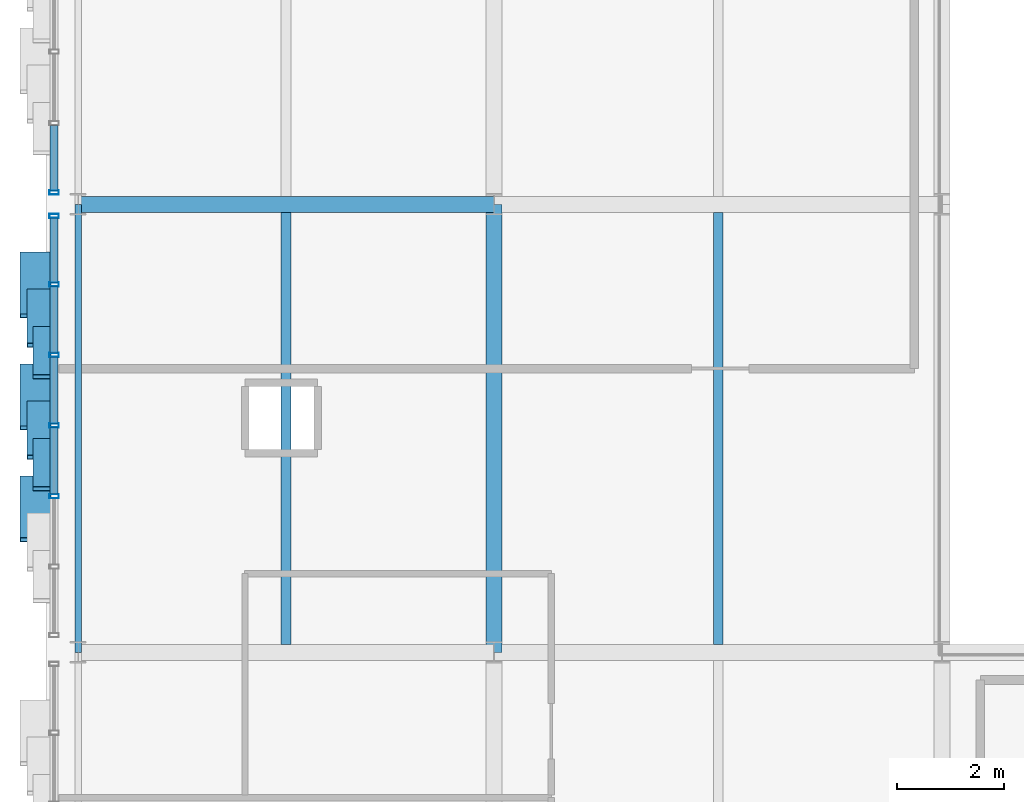
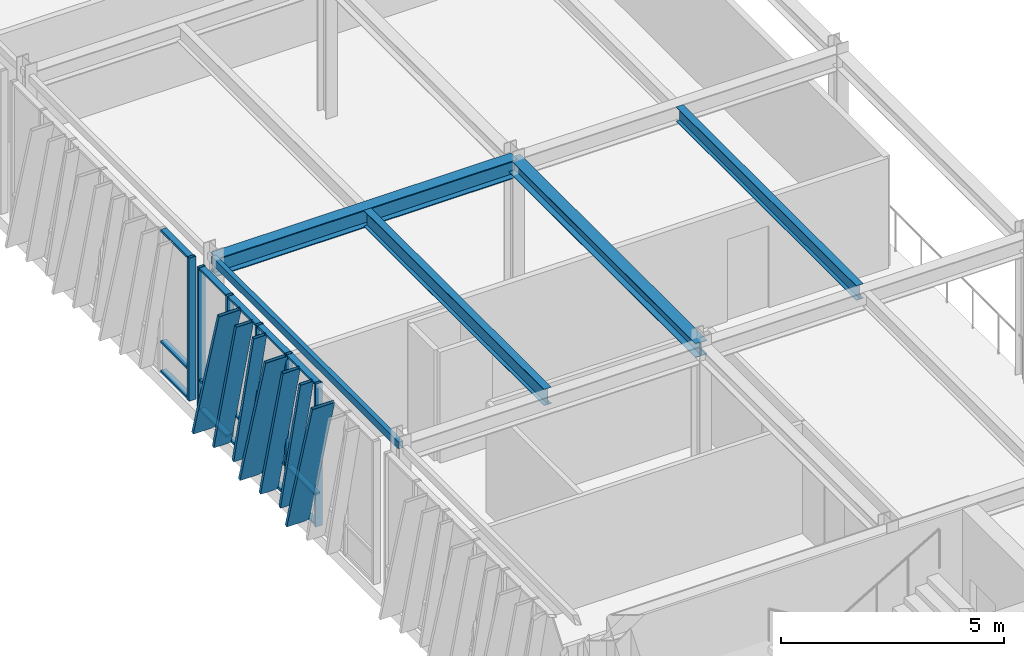
# One storey, part 38 of 127: 28 members, 5 beams, 2 elements without a shape of their own.
"""IFC4 building model written with IfcOpenShell, lengths in metres."""

from ifc_helpers import new_model, si_unit, direction, frame, origin, origin_2d, place, context, subcontext, project, spatial, hollow_rectangle, i_section, extrude, material, layer, layer_set, material_profile, profile_set, type_object, element, aggregate, save


model = new_model("IFC4")

# Units and contexts
model_context = context("Model", 3, precision=1e-05, world=origin(), true_north=direction((0.0, 1.0)))
body_context = subcontext(model_context, "Body", "Model", "MODEL_VIEW")
ifc_project = project(units=[si_unit("LENGTHUNIT", "METRE"), si_unit("AREAUNIT", "SQUARE_METRE"), si_unit("VOLUMEUNIT", "CUBIC_METRE"), si_unit("PLANEANGLEUNIT", "RADIAN"), si_unit("MASSUNIT", "GRAM", prefix="KILO")], contexts=[model_context])

# Site, building, storey
site_placement = place(None, origin())
site = spatial("IfcSite", under=ifc_project, at=site_placement, CompositionType="ELEMENT")
building_placement = place(site_placement, origin())
building = spatial("IfcBuilding", under=site, at=building_placement, Name="Zayran Congress Hotel", CompositionType="ELEMENT")
storey_placement = place(building_placement, frame((0.0, 0.0, 10.800048828125)))
storey = spatial("IfcBuildingStorey", under=building, at=storey_placement, Name="L02", CompositionType="ELEMENT", Elevation=10.800048828125)

# Beams
ifc_material_1 = material(Name="Steel S355", Category="steel")
ifc_material_profile_1 = material_profile(ifc_material_1, i_section(OverallWidth=0.300048828125, OverallDepth=0.489990234375, WebThickness=0.011962890625, FlangeThickness=0.02294921875, at=origin_2d()), Name="HEA 500")
ifc_profile_set_1 = profile_set([ifc_material_profile_1], Name="Steel S355")
beam_type_1 = type_object("IfcBeamType", Name="TP-BM-05", PredefinedType="BEAM", material=ifc_profile_set_1)
beam_1_placement = place(storey_placement, frame((9.0, 92.800048828125, 3.675048828125), z_axis=(1.0, 0.0, 0.0), x_axis=(0.0, 1.0, 0.0)))
element("IfcBeam", 1, at=beam_1_placement, inside=storey, type_object=beam_type_1, Name="BM-V1-L02-0682", PredefinedType="BEAM", context=body_context, shape_type="SweptSolid", body=[
    extrude(i_section(OverallWidth=0.300048828125, OverallDepth=0.489990234375, WebThickness=0.011962890625, FlangeThickness=0.02294921875, at=origin_2d()), origin(), (0.0, 0.0, 1.0), 7.800048828125),
])
ifc_material_profile_2 = material_profile(ifc_material_1, i_section(OverallWidth=0.300048828125, OverallDepth=0.389892578125, WebThickness=0.010986328125, FlangeThickness=0.01904296875, at=origin_2d()), Name="HEA 400")
ifc_profile_set_2 = profile_set([ifc_material_profile_2], Name="Steel S355")
beam_type_2 = type_object("IfcBeamType", Name="TP-BM-06", PredefinedType="BEAM", material=ifc_profile_set_2)
beam_2_placement = place(storey_placement, frame((16.800048828125, 84.39990234375, 3.724853515625), z_axis=(0.0, 1.0, 0.0), x_axis=(-1.0, 0.0, 0.0)))
element("IfcBeam", 2, at=beam_2_placement, inside=storey, type_object=beam_type_2, Name="BM-V1-L02-0717", PredefinedType="BEAM", context=body_context, shape_type="SweptSolid", body=[
    extrude(i_section(OverallWidth=0.300048828125, OverallDepth=0.389892578125, WebThickness=0.010986328125, FlangeThickness=0.01904296875, at=origin_2d()), origin(), (0.0, 0.0, 1.0), 8.400146484375),
])
ifc_material_profile_3 = material_profile(ifc_material_1, i_section(OverallWidth=0.18994140625, OverallDepth=0.449951171875, WebThickness=0.009521484375, FlangeThickness=0.0146484375, at=origin_2d()), Name="IPE 450")
ifc_profile_set_3 = profile_set([ifc_material_profile_3], Name="Steel S355")
beam_type_3 = type_object("IfcBeamType", Name="TP-JS-02", PredefinedType="JOIST", material=ifc_profile_set_3)
beam_3_placement = place(storey_placement, frame((12.89990234375, 84.550048828125, 3.695068359375), z_axis=(0.0, 1.0, 0.0), x_axis=(-1.0, 0.0, 0.0)))
element("IfcBeam", 3, at=beam_3_placement, inside=storey, type_object=beam_type_3, Name="JST-V1-L02-0757", PredefinedType="JOIST", context=body_context, shape_type="SweptSolid", body=[
    extrude(i_section(OverallWidth=0.18994140625, OverallDepth=0.449951171875, WebThickness=0.009521484375, FlangeThickness=0.0146484375, at=origin_2d()), origin(), (0.0, 0.0, 1.0), 8.099853515625),
])
ifc_material_profile_4 = material_profile(ifc_material_1, i_section(OverallWidth=0.179931640625, OverallDepth=0.39990234375, WebThickness=0.008544921875, FlangeThickness=0.013427734375, at=origin_2d()), Name="IPE 400")
ifc_profile_set_4 = profile_set([ifc_material_profile_4], Name="Steel S355")
beam_type_4 = type_object("IfcBeamType", Name="TP-JS-03", PredefinedType="JOIST", material=ifc_profile_set_4)
beam_4_placement = place(storey_placement, frame((21.0, 84.550048828125, 3.719970703125), z_axis=(0.0, 1.0, 0.0), x_axis=(-1.0, 0.0, 0.0)))
element("IfcBeam", 4, at=beam_4_placement, inside=storey, type_object=beam_type_4, Name="JST-V1-L02-0761", PredefinedType="JOIST", context=body_context, shape_type="SweptSolid", body=[
    extrude(i_section(OverallWidth=0.179931640625, OverallDepth=0.39990234375, WebThickness=0.008544921875, FlangeThickness=0.013427734375, at=origin_2d()), origin(), (0.0, 0.0, 1.0), 8.099853515625),
])
ifc_material_profile_5 = material_profile(ifc_material_1, hollow_rectangle(XDim=0.1201171875, YDim=0.199951171875, WallThickness=0.008056640625, at=origin_2d()), Name="RHS 200x120x8")
ifc_profile_set_5 = profile_set([ifc_material_profile_5], Name="Steel S355")
beam_type_5 = type_object("IfcBeamType", Name="TP-SP-02", PredefinedType="SPANDREL", material=ifc_profile_set_5)
beam_5_placement = place(storey_placement, frame((9.0, 84.39990234375, 3.820068359375), z_axis=(0.0, 1.0, 0.0), x_axis=(-1.0, 0.0, 0.0)))
element("IfcBeam", 5, at=beam_5_placement, inside=storey, type_object=beam_type_5, Name="BM-V1-L02-0712", PredefinedType="SPANDREL", context=body_context, shape_type="SweptSolid", body=[
    extrude(hollow_rectangle(XDim=0.1201171875, YDim=0.199951171875, WallThickness=0.008056640625, at=origin_2d()), origin(), (0.0, 0.0, 1.0), 8.400146484375),
])

# Curtain wall, members
ifc_material_2 = material(Name="Anodised aluminium and low-E insulated glass", Category="aluminium")
ifc_layer_1 = layer(ifc_material_2, 0.179931640625)
ifc_layer_set_1 = layer_set([ifc_layer_1], Name="Anodised aluminium and low-E insulated glass")
curtain_wall_type_1 = type_object("IfcCurtainWallType", Name="CW-V1W-L02-CW-31-7940-3920", PredefinedType="USERDEFINED", material=ifc_layer_set_1)
curtain_wall_1_placement = place(storey_placement, origin())
curtain_wall_1 = element("IfcCurtainWall", 6, at=curtain_wall_1_placement, inside=storey, type_object=curtain_wall_type_1, Name="CW-V1W-L02-2", ObjectType="CURTAIN WALL", PredefinedType="USERDEFINED")
ifc_material_3 = material(Name="Anodised aluminium framing", Category="aluminium")
ifc_material_profile_6 = material_profile(ifc_material_3, hollow_rectangle(XDim=0.080078125, YDim=0.179931640625, WallThickness=0.0048828125, at=origin_2d()), Name="RHS 180x80x5")
ifc_profile_set_6 = profile_set([ifc_material_profile_6], Name="Anodised aluminium framing")
member_type_1 = type_object("IfcMemberType", Name="TP-CWM-01", PredefinedType="MULLION", material=ifc_profile_set_6)
member_1_placement = place(storey_placement, frame((8.550048828125, 92.580078125, 0.0), z_axis=(0.0, 0.0, 1.0), x_axis=(0.0, 1.0, 0.0)))
member_1 = element("IfcMember", 7, at=member_1_placement, type_object=member_type_1, Name="CW-V1W-L02-2-M00", PredefinedType="MULLION", context=body_context, shape_type="SweptSolid", body=[
    extrude(hollow_rectangle(XDim=0.080078125, YDim=0.179931640625, WallThickness=0.0048828125, at=origin_2d()), origin(), (0.0, 0.0, 1.0), 3.919921875),
])
member_2_placement = place(storey_placement, frame((8.550048828125, 91.296630859375, 0.0), z_axis=(0.0, 0.0, 1.0), x_axis=(0.0, 1.0, 0.0)))
member_2 = element("IfcMember", 8, at=member_2_placement, type_object=member_type_1, Name="CW-V1W-L02-2-M01", PredefinedType="MULLION", context=body_context, shape_type="SweptSolid", body=[
    extrude(hollow_rectangle(XDim=0.080078125, YDim=0.179931640625, WallThickness=0.0048828125, at=origin_2d()), origin(), (0.0, 0.0, 1.0), 3.919921875),
])
member_3_placement = place(storey_placement, frame((8.550048828125, 89.973388671875, 0.0), z_axis=(0.0, 0.0, 1.0), x_axis=(0.0, 1.0, 0.0)))
member_3 = element("IfcMember", 9, at=member_3_placement, type_object=member_type_1, Name="CW-V1W-L02-2-M02", PredefinedType="MULLION", context=body_context, shape_type="SweptSolid", body=[
    extrude(hollow_rectangle(XDim=0.080078125, YDim=0.179931640625, WallThickness=0.0048828125, at=origin_2d()), origin(), (0.0, 0.0, 1.0), 3.919921875),
])
member_4_placement = place(storey_placement, frame((8.550048828125, 88.64990234375, 0.0), z_axis=(0.0, 0.0, 1.0), x_axis=(0.0, 1.0, 0.0)))
member_4 = element("IfcMember", 10, at=member_4_placement, type_object=member_type_1, Name="CW-V1W-L02-2-M03", PredefinedType="MULLION", context=body_context, shape_type="SweptSolid", body=[
    extrude(hollow_rectangle(XDim=0.080078125, YDim=0.179931640625, WallThickness=0.0048828125, at=origin_2d()), origin(), (0.0, 0.0, 1.0), 3.919921875),
])
member_5_placement = place(storey_placement, frame((8.550048828125, 87.32666015625, 0.0), z_axis=(0.0, 0.0, 1.0), x_axis=(0.0, 1.0, 0.0)))
member_5 = element("IfcMember", 11, at=member_5_placement, type_object=member_type_1, Name="CW-V1W-L02-2-M04", PredefinedType="MULLION", context=body_context, shape_type="SweptSolid", body=[
    extrude(hollow_rectangle(XDim=0.080078125, YDim=0.179931640625, WallThickness=0.0048828125, at=origin_2d()), origin(), (0.0, 0.0, 1.0), 3.919921875),
])

# Curtain wall, member
ifc_layer_2 = layer(ifc_material_2, 0.179931640625)
ifc_layer_set_2 = layer_set([ifc_layer_2], Name="Anodised aluminium and low-E insulated glass")
curtain_wall_type_2 = type_object("IfcCurtainWallType", Name="CW-V1W-L02-CW-32-8040-3920", PredefinedType="USERDEFINED", material=ifc_layer_set_2)
curtain_wall_2_placement = place(storey_placement, origin())
curtain_wall_2 = element("IfcCurtainWall", 12, at=curtain_wall_2_placement, inside=storey, type_object=curtain_wall_type_2, Name="CW-V1W-L02-3", ObjectType="CURTAIN WALL", PredefinedType="USERDEFINED")
member_6_placement = place(storey_placement, frame((8.550048828125, 93.02001953125, 0.0), z_axis=(0.0, 0.0, 1.0), x_axis=(0.0, 1.0, 0.0)))
member_6 = element("IfcMember", 13, at=member_6_placement, type_object=member_type_1, Name="CW-V1W-L02-3-M06", PredefinedType="MULLION", context=body_context, shape_type="SweptSolid", body=[
    extrude(hollow_rectangle(XDim=0.080078125, YDim=0.179931640625, WallThickness=0.0048828125, at=origin_2d()), origin(), (0.0, 0.0, 1.0), 3.919921875),
])

# Member
ifc_material_profile_7 = material_profile(ifc_material_3, hollow_rectangle(XDim=0.06005859375, YDim=0.14990234375, WallThickness=0.00390625, at=origin_2d()), Name="RHS 150x60x4")
ifc_profile_set_7 = profile_set([ifc_material_profile_7], Name="Anodised aluminium framing")
member_type_2 = type_object("IfcMemberType", Name="TP-CWT-01", PredefinedType="USERDEFINED", material=ifc_profile_set_7)
member_7_placement = place(storey_placement, frame((8.550048828125, 92.5400390625, 0.030029296875), z_axis=(0.0, -1.0, 0.0), x_axis=(0.0, 0.0, 1.0)))
member_7 = element("IfcMember", 14, at=member_7_placement, type_object=member_type_2, Name="CW-V1W-L02-2-T00-0", ObjectType="TRANSOM", PredefinedType="USERDEFINED", context=body_context, shape_type="SweptSolid", body=[
    extrude(hollow_rectangle(XDim=0.06005859375, YDim=0.14990234375, WallThickness=0.00390625, at=origin_2d()), origin(), (0.0, 0.0, 1.0), 1.203369140625),
])

member_8_placement = place(storey_placement, frame((8.550048828125, 92.5400390625, 0.83984375), z_axis=(0.0, -1.0, 0.0), x_axis=(0.0, 0.0, 1.0)))
member_8 = element("IfcMember", 15, at=member_8_placement, type_object=member_type_2, Name="CW-V1W-L02-2-T00-1", ObjectType="TRANSOM", PredefinedType="USERDEFINED", context=body_context, shape_type="SweptSolid", body=[
    extrude(hollow_rectangle(XDim=0.06005859375, YDim=0.14990234375, WallThickness=0.00390625, at=origin_2d()), origin(), (0.0, 0.0, 1.0), 1.203369140625),
])

member_9_placement = place(storey_placement, frame((8.550048828125, 92.5400390625, 3.889892578125), z_axis=(0.0, -1.0, 0.0), x_axis=(0.0, 0.0, 1.0)))
member_9 = element("IfcMember", 16, at=member_9_placement, type_object=member_type_2, Name="CW-V1W-L02-2-T00-2", ObjectType="TRANSOM", PredefinedType="USERDEFINED", context=body_context, shape_type="SweptSolid", body=[
    extrude(hollow_rectangle(XDim=0.06005859375, YDim=0.14990234375, WallThickness=0.00390625, at=origin_2d()), origin(), (0.0, 0.0, 1.0), 1.203369140625),
])

member_10_placement = place(storey_placement, frame((8.550048828125, 91.256591796875, 0.030029296875), z_axis=(0.0, -1.0, 0.0), x_axis=(0.0, 0.0, 1.0)))
member_10 = element("IfcMember", 17, at=member_10_placement, type_object=member_type_2, Name="CW-V1W-L02-2-T01-0", ObjectType="TRANSOM", PredefinedType="USERDEFINED", context=body_context, shape_type="SweptSolid", body=[
    extrude(hollow_rectangle(XDim=0.06005859375, YDim=0.14990234375, WallThickness=0.00390625, at=origin_2d()), origin(), (0.0, 0.0, 1.0), 1.243408203125),
])

member_11_placement = place(storey_placement, frame((8.550048828125, 91.256591796875, 0.83984375), z_axis=(0.0, -1.0, 0.0), x_axis=(0.0, 0.0, 1.0)))
member_11 = element("IfcMember", 18, at=member_11_placement, type_object=member_type_2, Name="CW-V1W-L02-2-T01-1", ObjectType="TRANSOM", PredefinedType="USERDEFINED", context=body_context, shape_type="SweptSolid", body=[
    extrude(hollow_rectangle(XDim=0.06005859375, YDim=0.14990234375, WallThickness=0.00390625, at=origin_2d()), origin(), (0.0, 0.0, 1.0), 1.243408203125),
])

member_12_placement = place(storey_placement, frame((8.550048828125, 91.256591796875, 3.889892578125), z_axis=(0.0, -1.0, 0.0), x_axis=(0.0, 0.0, 1.0)))
member_12 = element("IfcMember", 19, at=member_12_placement, type_object=member_type_2, Name="CW-V1W-L02-2-T01-2", ObjectType="TRANSOM", PredefinedType="USERDEFINED", context=body_context, shape_type="SweptSolid", body=[
    extrude(hollow_rectangle(XDim=0.06005859375, YDim=0.14990234375, WallThickness=0.00390625, at=origin_2d()), origin(), (0.0, 0.0, 1.0), 1.243408203125),
])

member_13_placement = place(storey_placement, frame((8.550048828125, 89.933349609375, 0.030029296875), z_axis=(0.0, -1.0, 0.0), x_axis=(0.0, 0.0, 1.0)))
member_13 = element("IfcMember", 20, at=member_13_placement, type_object=member_type_2, Name="CW-V1W-L02-2-T02-0", ObjectType="TRANSOM", PredefinedType="USERDEFINED", context=body_context, shape_type="SweptSolid", body=[
    extrude(hollow_rectangle(XDim=0.06005859375, YDim=0.14990234375, WallThickness=0.00390625, at=origin_2d()), origin(), (0.0, 0.0, 1.0), 1.243408203125),
])

member_14_placement = place(storey_placement, frame((8.550048828125, 89.933349609375, 0.83984375), z_axis=(0.0, -1.0, 0.0), x_axis=(0.0, 0.0, 1.0)))
member_14 = element("IfcMember", 21, at=member_14_placement, type_object=member_type_2, Name="CW-V1W-L02-2-T02-1", ObjectType="TRANSOM", PredefinedType="USERDEFINED", context=body_context, shape_type="SweptSolid", body=[
    extrude(hollow_rectangle(XDim=0.06005859375, YDim=0.14990234375, WallThickness=0.00390625, at=origin_2d()), origin(), (0.0, 0.0, 1.0), 1.243408203125),
])

member_15_placement = place(storey_placement, frame((8.550048828125, 89.933349609375, 3.889892578125), z_axis=(0.0, -1.0, 0.0), x_axis=(0.0, 0.0, 1.0)))
member_15 = element("IfcMember", 22, at=member_15_placement, type_object=member_type_2, Name="CW-V1W-L02-2-T02-2", ObjectType="TRANSOM", PredefinedType="USERDEFINED", context=body_context, shape_type="SweptSolid", body=[
    extrude(hollow_rectangle(XDim=0.06005859375, YDim=0.14990234375, WallThickness=0.00390625, at=origin_2d()), origin(), (0.0, 0.0, 1.0), 1.243408203125),
])

member_16_placement = place(storey_placement, frame((8.550048828125, 88.610107421875, 0.030029296875), z_axis=(0.0, -1.0, 0.0), x_axis=(0.0, 0.0, 1.0)))
member_16 = element("IfcMember", 23, at=member_16_placement, type_object=member_type_2, Name="CW-V1W-L02-2-T03-0", ObjectType="TRANSOM", PredefinedType="USERDEFINED", context=body_context, shape_type="SweptSolid", body=[
    extrude(hollow_rectangle(XDim=0.06005859375, YDim=0.14990234375, WallThickness=0.00390625, at=origin_2d()), origin(), (0.0, 0.0, 1.0), 1.243408203125),
])

member_17_placement = place(storey_placement, frame((8.550048828125, 88.610107421875, 0.83984375), z_axis=(0.0, -1.0, 0.0), x_axis=(0.0, 0.0, 1.0)))
member_17 = element("IfcMember", 24, at=member_17_placement, type_object=member_type_2, Name="CW-V1W-L02-2-T03-1", ObjectType="TRANSOM", PredefinedType="USERDEFINED", context=body_context, shape_type="SweptSolid", body=[
    extrude(hollow_rectangle(XDim=0.06005859375, YDim=0.14990234375, WallThickness=0.00390625, at=origin_2d()), origin(), (0.0, 0.0, 1.0), 1.243408203125),
])

member_18_placement = place(storey_placement, frame((8.550048828125, 88.610107421875, 3.889892578125), z_axis=(0.0, -1.0, 0.0), x_axis=(0.0, 0.0, 1.0)))
member_18 = element("IfcMember", 25, at=member_18_placement, type_object=member_type_2, Name="CW-V1W-L02-2-T03-2", ObjectType="TRANSOM", PredefinedType="USERDEFINED", context=body_context, shape_type="SweptSolid", body=[
    extrude(hollow_rectangle(XDim=0.06005859375, YDim=0.14990234375, WallThickness=0.00390625, at=origin_2d()), origin(), (0.0, 0.0, 1.0), 1.243408203125),
])

member_19_placement = place(storey_placement, frame((8.550048828125, 94.280029296875, 0.030029296875), z_axis=(0.0, -1.0, 0.0), x_axis=(0.0, 0.0, 1.0)))
member_19 = element("IfcMember", 26, at=member_19_placement, type_object=member_type_2, Name="CW-V1W-L02-3-T05-0", ObjectType="TRANSOM", PredefinedType="USERDEFINED", context=body_context, shape_type="SweptSolid", body=[
    extrude(hollow_rectangle(XDim=0.06005859375, YDim=0.14990234375, WallThickness=0.00390625, at=origin_2d()), origin(), (0.0, 0.0, 1.0), 1.219970703125),
])

member_20_placement = place(storey_placement, frame((8.550048828125, 94.280029296875, 0.83984375), z_axis=(0.0, -1.0, 0.0), x_axis=(0.0, 0.0, 1.0)))
member_20 = element("IfcMember", 27, at=member_20_placement, type_object=member_type_2, Name="CW-V1W-L02-3-T05-1", ObjectType="TRANSOM", PredefinedType="USERDEFINED", context=body_context, shape_type="SweptSolid", body=[
    extrude(hollow_rectangle(XDim=0.06005859375, YDim=0.14990234375, WallThickness=0.00390625, at=origin_2d()), origin(), (0.0, 0.0, 1.0), 1.219970703125),
])

member_21_placement = place(storey_placement, frame((8.550048828125, 94.280029296875, 3.889892578125), z_axis=(0.0, -1.0, 0.0), x_axis=(0.0, 0.0, 1.0)))
member_21 = element("IfcMember", 28, at=member_21_placement, type_object=member_type_2, Name="CW-V1W-L02-3-T05-2", ObjectType="TRANSOM", PredefinedType="USERDEFINED", context=body_context, shape_type="SweptSolid", body=[
    extrude(hollow_rectangle(XDim=0.06005859375, YDim=0.14990234375, WallThickness=0.00390625, at=origin_2d()), origin(), (0.0, 0.0, 1.0), 1.219970703125),
])

aggregate(curtain_wall_2, [member_6, member_19, member_20, member_21])

ifc_material_4 = material(Name="Warm bronze anodised aluminium", Category="aluminium")
ifc_material_profile_8 = material_profile(ifc_material_4, hollow_rectangle(XDim=0.080078125, YDim=0.580078125, WallThickness=0.006103515625, at=origin_2d()), Name="RHS 580x80x6")
ifc_profile_set_8 = profile_set([ifc_material_profile_8], Name="Warm bronze anodised aluminium")
member_type_3 = type_object("IfcMemberType", Name="TP-RFN-01", PredefinedType="MULLION", material=ifc_profile_set_8)
member_22_placement = place(storey_placement, frame((8.199951171875, 91.8701171875, 0.0), z_axis=(0.0, -0.284070030724, 0.958803534435), x_axis=(0.0, 0.958803534435, 0.284070030724)))
member_22 = element("IfcMember", 29, at=member_22_placement, type_object=member_type_3, Name="Slanting Reed Mullion CW-31-01", PredefinedType="MULLION", context=body_context, shape_type="SweptSolid", body=[
    extrude(hollow_rectangle(XDim=0.080078125, YDim=0.580078125, WallThickness=0.006103515625, at=origin_2d()), origin(), (0.0, 0.0, 1.0), 4.08837890625),
])

member_23_placement = place(storey_placement, frame((8.199951171875, 89.77001953125, 0.0), z_axis=(0.0, -0.28401513196, 0.958819797886), x_axis=(0.0, 0.958819797886, 0.28401513196)))
member_23 = element("IfcMember", 30, at=member_23_placement, type_object=member_type_3, Name="Slanting Reed Mullion CW-31-04", PredefinedType="MULLION", context=body_context, shape_type="SweptSolid", body=[
    extrude(hollow_rectangle(XDim=0.080078125, YDim=0.580078125, WallThickness=0.006103515625, at=origin_2d()), origin(), (0.0, 0.0, 1.0), 4.08837890625),
])

member_24_placement = place(storey_placement, frame((8.199951171875, 87.669921875, 0.0), z_axis=(0.0, -0.28401513196, 0.958819797886), x_axis=(0.0, 0.958819797886, 0.28401513196)))
member_24 = element("IfcMember", 31, at=member_24_placement, type_object=member_type_3, Name="Slanting Reed Mullion CW-31-07", PredefinedType="MULLION", context=body_context, shape_type="SweptSolid", body=[
    extrude(hollow_rectangle(XDim=0.080078125, YDim=0.580078125, WallThickness=0.006103515625, at=origin_2d()), origin(), (0.0, 0.0, 1.0), 4.08837890625),
])

ifc_material_profile_9 = material_profile(ifc_material_4, hollow_rectangle(XDim=0.080078125, YDim=0.449951171875, WallThickness=0.006103515625, at=origin_2d()), Name="RHS 450x80x6")
ifc_profile_set_9 = profile_set([ifc_material_profile_9], Name="Warm bronze anodised aluminium")
member_type_4 = type_object("IfcMemberType", Name="TP-RFN-02", PredefinedType="MULLION", material=ifc_profile_set_9)
member_25_placement = place(storey_placement, frame((8.264892578125, 91.169921875, 0.0), z_axis=(0.0, -0.25035943501, 0.968152959662), x_axis=(0.0, 0.968152959662, 0.25035943501)))
member_25 = element("IfcMember", 32, at=member_25_placement, type_object=member_type_4, Name="Slanting Reed Mullion CW-31-02", PredefinedType="MULLION", context=body_context, shape_type="SweptSolid", body=[
    extrude(hollow_rectangle(XDim=0.080078125, YDim=0.449951171875, WallThickness=0.006103515625, at=origin_2d()), origin(), (0.0, 0.0, 1.0), 4.048828125),
])

member_26_placement = place(storey_placement, frame((8.264892578125, 89.070068359375, 0.0), z_axis=(0.0, -0.250415952743, 0.968138342703), x_axis=(0.0, 0.968138342703, 0.250415952743)))
member_26 = element("IfcMember", 33, at=member_26_placement, type_object=member_type_4, Name="Slanting Reed Mullion CW-31-05", PredefinedType="MULLION", context=body_context, shape_type="SweptSolid", body=[
    extrude(hollow_rectangle(XDim=0.080078125, YDim=0.449951171875, WallThickness=0.006103515625, at=origin_2d()), origin(), (0.0, 0.0, 1.0), 4.048828125),
])

ifc_material_profile_10 = material_profile(ifc_material_4, hollow_rectangle(XDim=0.080078125, YDim=0.340087890625, WallThickness=0.006103515625, at=origin_2d()), Name="RHS 340x80x6")
ifc_profile_set_10 = profile_set([ifc_material_profile_10], Name="Warm bronze anodised aluminium")
member_type_5 = type_object("IfcMemberType", Name="TP-RFN-03", PredefinedType="MULLION", material=ifc_profile_set_10)
member_27_placement = place(storey_placement, frame((8.320068359375, 90.469970703125, 0.0), z_axis=(0.0, -0.224961443605, 0.974367666177), x_axis=(0.0, 0.974367666177, 0.224961443605)))
member_27 = element("IfcMember", 34, at=member_27_placement, type_object=member_type_5, Name="Slanting Reed Mullion CW-31-03", PredefinedType="MULLION", context=body_context, shape_type="SweptSolid", body=[
    extrude(hollow_rectangle(XDim=0.080078125, YDim=0.340087890625, WallThickness=0.006103515625, at=origin_2d()), origin(), (0.0, 0.0, 1.0), 4.02294921875),
])

member_28_placement = place(storey_placement, frame((8.320068359375, 88.3701171875, 0.0), z_axis=(0.0, -0.224961443605, 0.974367666177), x_axis=(0.0, 0.974367666177, 0.224961443605)))
member_28 = element("IfcMember", 35, at=member_28_placement, type_object=member_type_5, Name="Slanting Reed Mullion CW-31-06", PredefinedType="MULLION", context=body_context, shape_type="SweptSolid", body=[
    extrude(hollow_rectangle(XDim=0.080078125, YDim=0.340087890625, WallThickness=0.006103515625, at=origin_2d()), origin(), (0.0, 0.0, 1.0), 4.02294921875),
])

aggregate(curtain_wall_1, [member_1, member_2, member_3, member_4, member_5, member_7, member_8, member_9, member_10, member_11, member_12, member_13, member_14, member_15, member_16, member_17, member_18, member_22, member_25, member_27, member_23, member_26, member_28, member_24])

save(model, "model.ifc")
